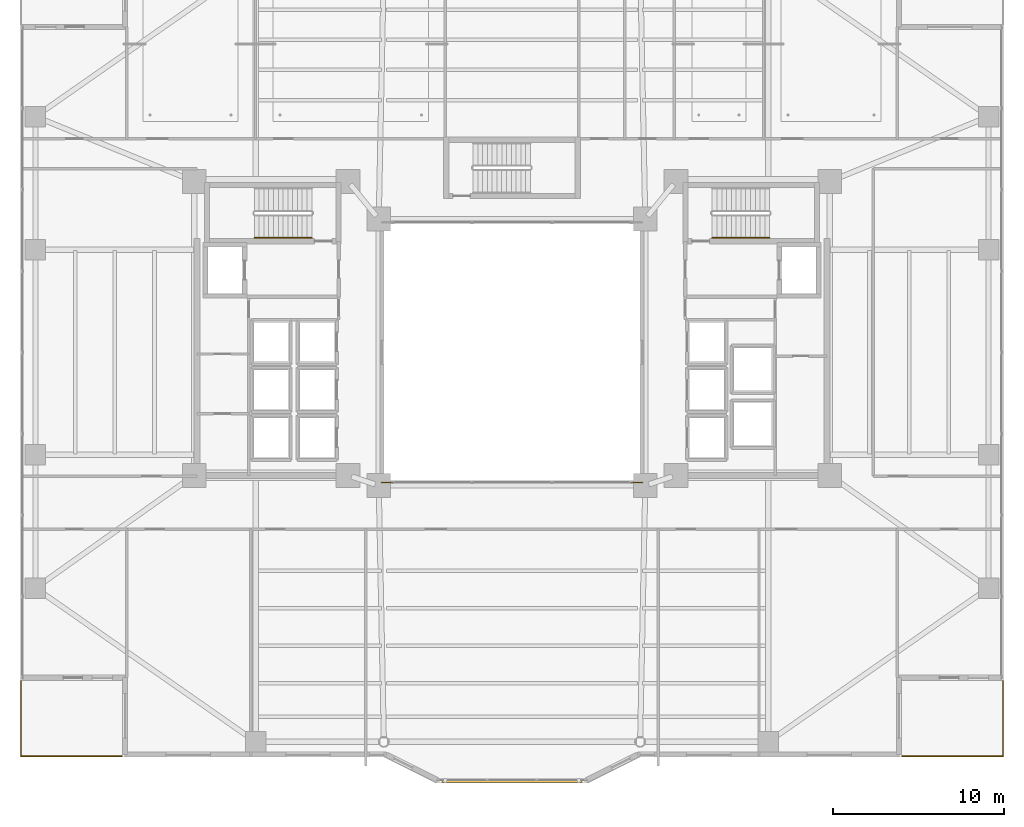
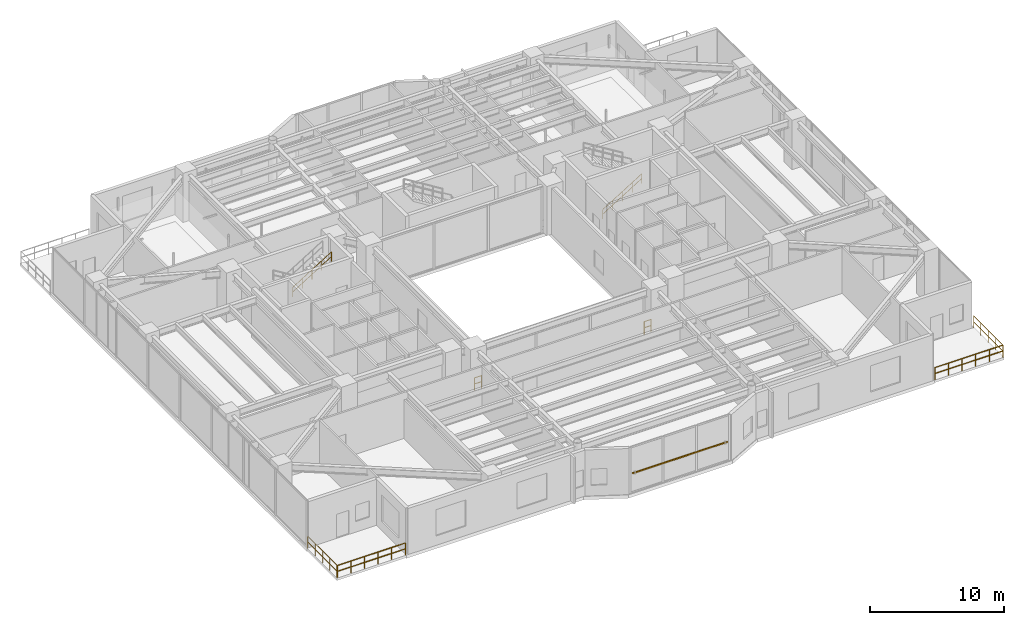
# One storey, part 37 of 39: 8 railings, 1 shading device.
"""IFC4 building model written with IfcOpenShell, lengths in metres."""

from ifc_helpers import new_model, si_unit, direction, frame, origin, origin_2d, place, context, subcontext, project, spatial, rectangle, circle, extrude, material, material_profile, profile_set, type_object, element, save


model = new_model("IFC4")

# Units and contexts
model_context = context("Model", 3, precision=1e-05, world=origin(), true_north=direction((0.0, 1.0)))
body_context = subcontext(model_context, "Body", "Model", "MODEL_VIEW")
ifc_project = project(units=[si_unit("LENGTHUNIT", "METRE"), si_unit("AREAUNIT", "SQUARE_METRE"), si_unit("VOLUMEUNIT", "CUBIC_METRE"), si_unit("PLANEANGLEUNIT", "RADIAN"), si_unit("MASSUNIT", "GRAM", prefix="KILO")], contexts=[model_context])

# Site, building, storey
site_placement = place(None, origin())
site = spatial("IfcSite", under=ifc_project, at=site_placement, CompositionType="ELEMENT")
building_placement = place(site_placement, origin())
building = spatial("IfcBuilding", under=site, at=building_placement, Name="Tarnavaz Court Tower", CompositionType="ELEMENT")
storey_placement = place(building_placement, frame((0.0, 0.0, 68.699951171875)))
storey = spatial("IfcBuildingStorey", under=building, at=storey_placement, Name="L18", CompositionType="ELEMENT", Elevation=68.699951171875)

# Railings
ifc_material_1 = material(Name="Anodised Aluminium 6063-T6 and Laminated Safety Glass", Category="aluminium")
railing_type_1 = type_object("IfcRailingType", Name="RL-BAL-1120", PredefinedType="BALUSTRADE", material=ifc_material_1)
for number, where, name in (
    (1, (-7.6201171875, -7.6201171875, 0.0), "L18 Courtyard Corner Balustrade S-A"),
    (2, (7.02001953125, -7.6201171875, 0.0), "L18 Courtyard Corner Balustrade S-B"),
):
    element("IfcRailing", number, at=place(storey_placement, frame(where)), inside=storey, type_object=railing_type_1, Name=name, PredefinedType="BALUSTRADE", context=body_context, shape_type="SweptSolid", body=[
        extrude(circle(Radius=0.02392578125, at=origin_2d()), frame((0.0, 0.0, 1.1259765625), z_axis=(1.0, 0.0, 0.0), x_axis=(0.0, 1.0, 0.0)), (0.0, 0.0, 1.0), 0.60009765625),
        extrude(circle(Radius=0.02392578125, at=origin_2d()), frame((0.0, 0.0, 0.574951171875), z_axis=(1.0, 0.0, 0.0), x_axis=(0.0, 1.0, 0.0)), (0.0, 0.0, 1.0), 0.60009765625),
        extrude(circle(Radius=0.02099609375, at=origin_2d()), origin(), (0.0, 0.0, 1.0), 1.101806640625),
        extrude(circle(Radius=0.02099609375, at=origin_2d()), frame((0.60009765625, 0.0, 0.0)), (0.0, 0.0, 1.0), 1.101806640625),
    ])
railing_1_placement = place(storey_placement, frame((22.860107421875, -23.639892578125, 0.0)))
element("IfcRailing", 3, at=railing_1_placement, inside=storey, type_object=railing_type_1, Name="L18 Terrace 3 S Perimeter Balustrade", PredefinedType="BALUSTRADE", context=body_context, shape_type="SweptSolid", body=[
    extrude(circle(Radius=0.02392578125, at=origin_2d()), frame((0.0, 0.0, 1.09619140625), z_axis=(1.0, 0.0, 0.0), x_axis=(0.0, 1.0, 0.0)), (0.0, 0.0, 1.0), 5.8798828125),
    extrude(circle(Radius=0.02392578125, at=origin_2d()), frame((0.0, 0.0, 0.56005859375), z_axis=(1.0, 0.0, 0.0), x_axis=(0.0, 1.0, 0.0)), (0.0, 0.0, 1.0), 5.8798828125),
    extrude(circle(Radius=0.02099609375, at=origin_2d()), origin(), (0.0, 0.0, 1.0), 1.072021484375),
    extrude(circle(Radius=0.02099609375, at=origin_2d()), frame((1.176025390625, 0.0, 0.0)), (0.0, 0.0, 1.0), 1.072021484375),
    extrude(circle(Radius=0.02099609375, at=origin_2d()), frame((2.35205078125, 0.0, 0.0)), (0.0, 0.0, 1.0), 1.072021484375),
    extrude(circle(Radius=0.02099609375, at=origin_2d()), frame((3.52783203125, 0.0, 0.0)), (0.0, 0.0, 1.0), 1.072021484375),
    extrude(circle(Radius=0.02099609375, at=origin_2d()), frame((4.703857421875, 0.0, 0.0)), (0.0, 0.0, 1.0), 1.072021484375),
    extrude(circle(Radius=0.02099609375, at=origin_2d()), frame((5.8798828125, 0.0, 0.0)), (0.0, 0.0, 1.0), 1.072021484375),
])
railing_2_placement = place(storey_placement, frame((28.739990234375, -23.639892578125, 0.0)))
element("IfcRailing", 4, at=railing_2_placement, inside=storey, type_object=railing_type_1, Name="L18 Terrace 3 E Perimeter Balustrade", PredefinedType="BALUSTRADE", context=body_context, shape_type="SweptSolid", body=[
    extrude(circle(Radius=0.02392578125, at=origin_2d()), frame((0.0, 0.0, 1.09619140625), z_axis=(0.0, 1.0, 0.0), x_axis=(-1.0, 0.0, 0.0)), (0.0, 0.0, 1.0), 4.3798828125),
    extrude(circle(Radius=0.02392578125, at=origin_2d()), frame((0.0, 0.0, 0.56005859375), z_axis=(0.0, 1.0, 0.0), x_axis=(-1.0, 0.0, 0.0)), (0.0, 0.0, 1.0), 4.3798828125),
    extrude(circle(Radius=0.02099609375, at=origin_2d()), origin(), (0.0, 0.0, 1.0), 1.072021484375),
    extrude(circle(Radius=0.02099609375, at=origin_2d()), frame((0.0, 1.094970703125, 0.0)), (0.0, 0.0, 1.0), 1.072021484375),
    extrude(circle(Radius=0.02099609375, at=origin_2d()), frame((0.0, 2.18994140625, 0.0)), (0.0, 0.0, 1.0), 1.072021484375),
    extrude(circle(Radius=0.02099609375, at=origin_2d()), frame((0.0, 3.284912109375, 0.0)), (0.0, 0.0, 1.0), 1.072021484375),
    extrude(circle(Radius=0.02099609375, at=origin_2d()), frame((0.0, 4.3798828125, 0.0)), (0.0, 0.0, 1.0), 1.072021484375),
])
railing_3_placement = place(storey_placement, frame((-28.739990234375, -23.639892578125, 0.0)))
element("IfcRailing", 5, at=railing_3_placement, inside=storey, type_object=railing_type_1, Name="L18 Terrace 4 S Perimeter Balustrade", PredefinedType="BALUSTRADE", context=body_context, shape_type="SweptSolid", body=[
    extrude(circle(Radius=0.02392578125, at=origin_2d()), frame((0.0, 0.0, 1.09619140625), z_axis=(1.0, 0.0, 0.0), x_axis=(0.0, 1.0, 0.0)), (0.0, 0.0, 1.0), 5.8798828125),
    extrude(circle(Radius=0.02392578125, at=origin_2d()), frame((0.0, 0.0, 0.56005859375), z_axis=(1.0, 0.0, 0.0), x_axis=(0.0, 1.0, 0.0)), (0.0, 0.0, 1.0), 5.8798828125),
    extrude(circle(Radius=0.02099609375, at=origin_2d()), origin(), (0.0, 0.0, 1.0), 1.072021484375),
    extrude(circle(Radius=0.02099609375, at=origin_2d()), frame((1.176025390625, 0.0, 0.0)), (0.0, 0.0, 1.0), 1.072021484375),
    extrude(circle(Radius=0.02099609375, at=origin_2d()), frame((2.35205078125, 0.0, 0.0)), (0.0, 0.0, 1.0), 1.072021484375),
    extrude(circle(Radius=0.02099609375, at=origin_2d()), frame((3.52783203125, 0.0, 0.0)), (0.0, 0.0, 1.0), 1.072021484375),
    extrude(circle(Radius=0.02099609375, at=origin_2d()), frame((4.703857421875, 0.0, 0.0)), (0.0, 0.0, 1.0), 1.072021484375),
    extrude(circle(Radius=0.02099609375, at=origin_2d()), frame((5.8798828125, 0.0, 0.0)), (0.0, 0.0, 1.0), 1.072021484375),
])
railing_4_placement = place(storey_placement, frame((-28.739990234375, -19.260009765625, 0.0)))
element("IfcRailing", 6, at=railing_4_placement, inside=storey, type_object=railing_type_1, Name="L18 Terrace 4 W Perimeter Balustrade", PredefinedType="BALUSTRADE", context=body_context, shape_type="SweptSolid", body=[
    extrude(circle(Radius=0.02392578125, at=origin_2d()), frame((0.0, 0.0, 1.09619140625), z_axis=(0.0, -1.0, 0.0), x_axis=(1.0, 0.0, 0.0)), (0.0, 0.0, 1.0), 4.3798828125),
    extrude(circle(Radius=0.02392578125, at=origin_2d()), frame((0.0, 0.0, 0.56005859375), z_axis=(0.0, -1.0, 0.0), x_axis=(1.0, 0.0, 0.0)), (0.0, 0.0, 1.0), 4.3798828125),
    extrude(circle(Radius=0.02099609375, at=origin_2d()), origin(), (0.0, 0.0, 1.0), 1.072021484375),
    extrude(circle(Radius=0.02099609375, at=origin_2d()), frame((0.0, -1.094970703125, 0.0)), (0.0, 0.0, 1.0), 1.072021484375),
    extrude(circle(Radius=0.02099609375, at=origin_2d()), frame((0.0, -2.18994140625, 0.0)), (0.0, 0.0, 1.0), 1.072021484375),
    extrude(circle(Radius=0.02099609375, at=origin_2d()), frame((0.0, -3.284912109375, 0.0)), (0.0, 0.0, 1.0), 1.072021484375),
    extrude(circle(Radius=0.02099609375, at=origin_2d()), frame((0.0, -4.3798828125, 0.0)), (0.0, 0.0, 1.0), 1.072021484375),
])
ifc_material_2 = material(Name="Brushed Stainless Steel", Category="steel")
railing_type_2 = type_object("IfcRailingType", Name="RL-HANDRAIL-900", PredefinedType="HANDRAIL", material=ifc_material_2)
for number, where, name in (
    (7, (-15.080078125, 6.699951171875, 2.423095703125), "L18 ST-W1 stair handrail 2"),
    (8, (11.719970703125, 6.699951171875, 0.173095703125), "L18 ST-E1 stair handrail 1"),
):
    element("IfcRailing", number, at=place(storey_placement, frame(where)), inside=storey, type_object=railing_type_2, Name=name, PredefinedType="HANDRAIL", context=body_context, shape_type="SweptSolid", body=[
        extrude(circle(Radius=0.02392578125, at=origin_2d()), frame((0.0, 0.0, 0.8759765625), z_axis=(0.850623216509, 0.0, 0.525775754039), x_axis=(0.0, 1.0, 0.0)), (0.0, 0.0, 1.0), 3.9501953125),
        extrude(circle(Radius=0.02392578125, at=origin_2d()), frame((0.0, 0.0, 0.449951171875), z_axis=(0.850623216509, 0.0, 0.525775754039), x_axis=(0.0, 1.0, 0.0)), (0.0, 0.0, 1.0), 3.9501953125),
        extrude(circle(Radius=0.02099609375, at=origin_2d()), origin(), (0.0, 0.0, 1.0), 0.851806640625),
        extrude(circle(Radius=0.02099609375, at=origin_2d()), frame((0.840087890625, 0.0, 0.519287109375)), (0.0, 0.0, 1.0), 0.851806640625),
        extrude(circle(Radius=0.02099609375, at=origin_2d()), frame((1.68017578125, 0.0, 1.03857421875)), (0.0, 0.0, 1.0), 0.851806640625),
        extrude(circle(Radius=0.02099609375, at=origin_2d()), frame((2.52001953125, 0.0, 1.5576171875)), (0.0, 0.0, 1.0), 0.851806640625),
        extrude(circle(Radius=0.02099609375, at=origin_2d()), frame((3.360107421875, 0.0, 2.076904296875)), (0.0, 0.0, 1.0), 0.851806640625),
    ])

# Shading device
ifc_material_3 = material(Name="Kiln-Fired Khorasan Terracotta Ceramic", Category="masonry")
ifc_material_profile = material_profile(ifc_material_3, rectangle(XDim=0.1201171875, YDim=0.06005859375, at=origin_2d()), Name="TC BAGUETTE 120X60")
ifc_profile_set = profile_set([ifc_material_profile], Name="Kiln-Fired Khorasan Terracotta Ceramic")
shading_device_type = type_object("IfcShadingDeviceType", Name="SD-BAG-120", PredefinedType="USERDEFINED", material=ifc_profile_set)
shading_device_placement = place(storey_placement, frame((4.10009765625, -25.110107421875, 1.800048828125), z_axis=(-1.0, 0.0, 0.0), x_axis=(0.0, -1.0, 0.0)))
element("IfcShadingDevice", 9, at=shading_device_placement, inside=storey, type_object=shading_device_type, Name="L18 Terracotta Baguette Screen PBG17", ObjectType="BAGUETTE", PredefinedType="USERDEFINED", context=body_context, shape_type="SweptSolid", body=[
    extrude(rectangle(XDim=0.1201171875, YDim=0.06005859375, at=origin_2d()), origin(), (0.0, 0.0, 1.0), 8.2001953125),
])

save(model, "model.ifc")
